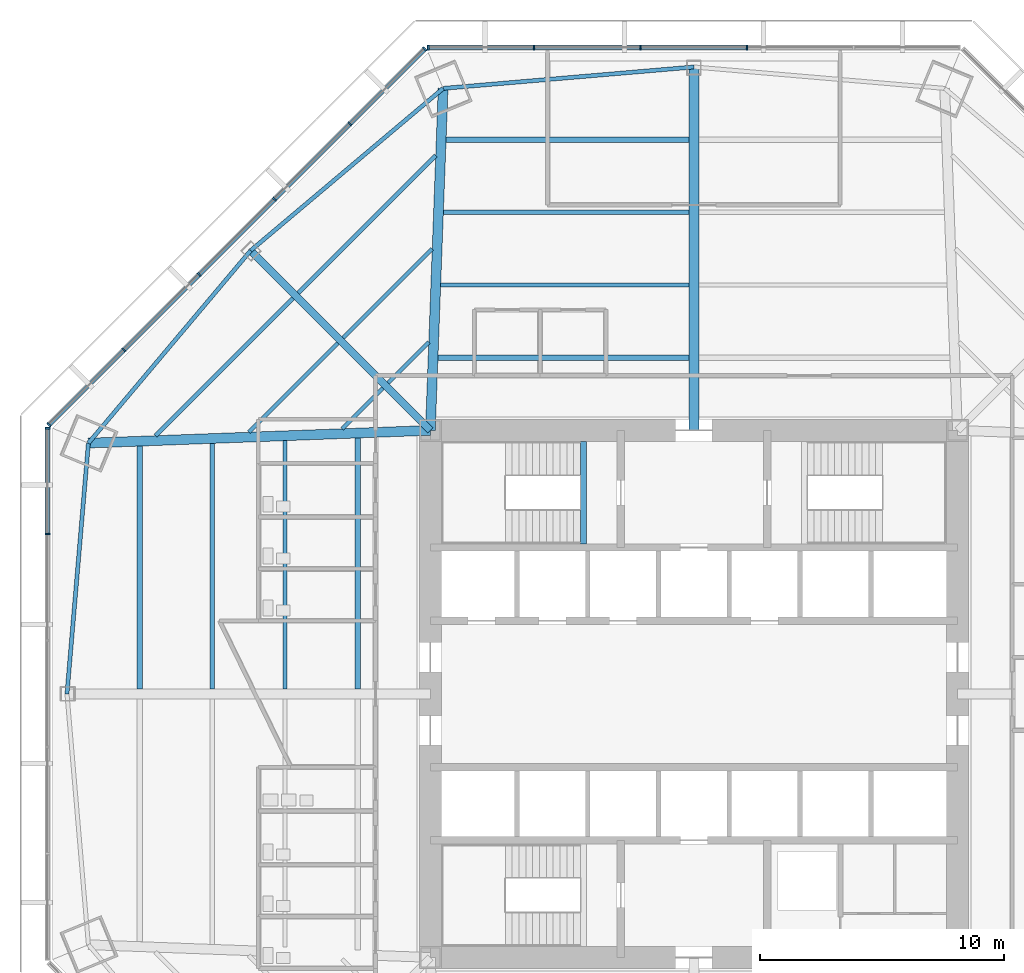
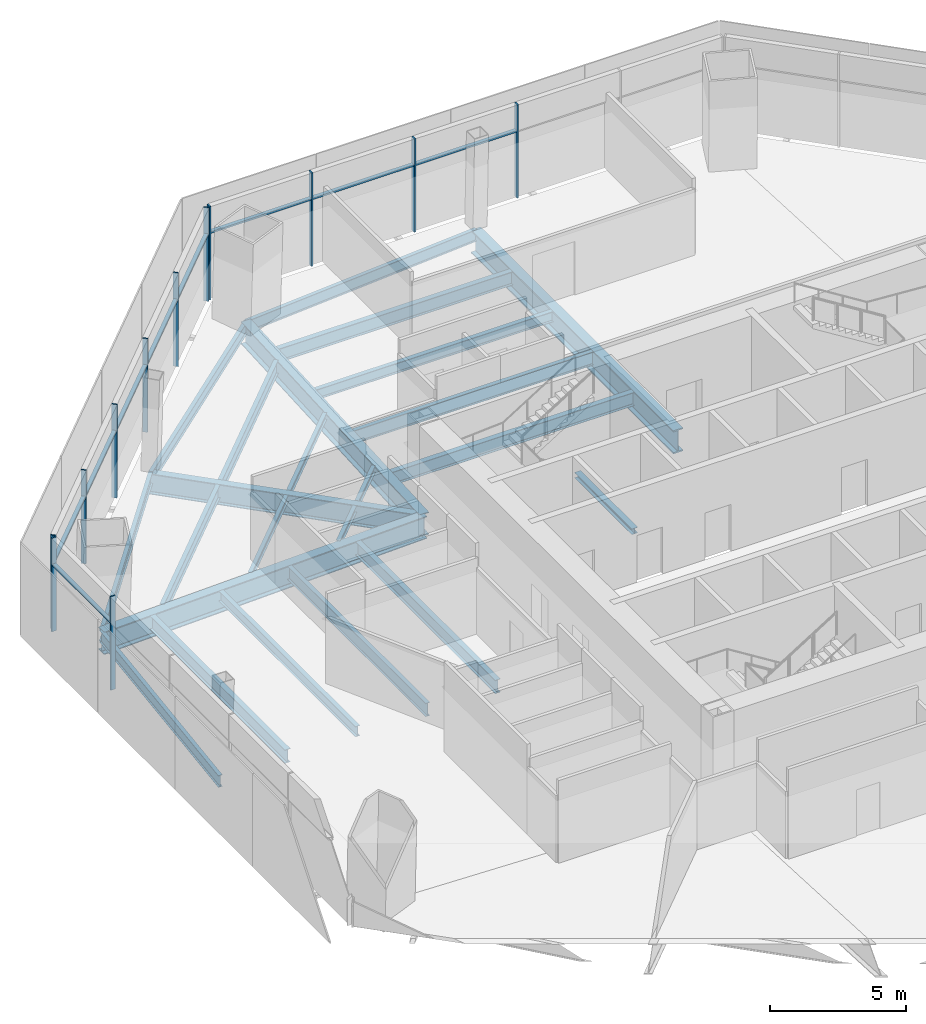
# One storey, part 5 of 14: 23 beams, 21 members, 3 elements without a shape of their own.
"""IFC4 building model written with IfcOpenShell, lengths in metres."""

from ifc_helpers import new_model, si_unit, direction, frame, origin, origin_2d, place, context, subcontext, project, spatial, rectangle, i_section, extrude, source, transform, mapped, material, material_profile, profile_set, type_object, type_shapes, element, aggregate, save


model = new_model("IFC4")

# Units and contexts
model_context = context("Model", 3, precision=1e-05, world=origin(), true_north=direction((0.0, 1.0)))
body_context = subcontext(model_context, "Body", "Model", "MODEL_VIEW")
ifc_project = project(units=[si_unit("LENGTHUNIT", "METRE"), si_unit("AREAUNIT", "SQUARE_METRE"), si_unit("VOLUMEUNIT", "CUBIC_METRE"), si_unit("PLANEANGLEUNIT", "RADIAN"), si_unit("MASSUNIT", "GRAM", prefix="KILO")], contexts=[model_context])

# Site, building, storey
site_placement = place(None, origin())
site = spatial("IfcSite", under=ifc_project, at=site_placement, CompositionType="ELEMENT")
building_placement = place(site_placement, origin())
building = spatial("IfcBuilding", under=site, at=building_placement, Name="Mashrafa Tower", CompositionType="ELEMENT")
storey_placement = place(building_placement, frame((0.0, 0.0, 54.0)))
storey = spatial("IfcBuildingStorey", under=building, at=storey_placement, Name="L11", CompositionType="ELEMENT", Elevation=54.0)

# Beams
ifc_material_1 = material(Name="Steel ASTM A992", Category="steel")
ifc_material_profile_1 = material_profile(ifc_material_1, i_section(OverallWidth=0.164794921875, OverallDepth=0.309814453125, WebThickness=0.005859375, FlangeThickness=0.009765625, FilletRadius=0.007568359375, at=origin_2d()), Name="W12X26")
ifc_profile_set_1 = profile_set([ifc_material_profile_1], Name="Steel ASTM A992")
beam_type_1 = type_object("IfcBeamType", Name="Beam W12X26", PredefinedType="BEAM", material=ifc_profile_set_1)
beam_1_placement = place(storey_placement, frame((-18.2431640625, 10.7236328125, -0.31982421875), z_axis=(0.707106781187, 0.707106781187, 0.0), x_axis=(-0.707106781187, 0.707106781187, 0.0)))
element("IfcBeam", 1, at=beam_1_placement, inside=storey, type_object=beam_type_1, Name="Floor beam L11 006", PredefinedType="BEAM", context=body_context, shape_type="SweptSolid", body=[
    extrude(i_section(OverallWidth=0.164794921875, OverallDepth=0.309814453125, WebThickness=0.005859375, FlangeThickness=0.009765625, FilletRadius=0.007568359375, at=origin_2d()), origin(), (0.0, 0.0, 1.0), 5.16357421875),
])
beam_2_placement = place(storey_placement, frame((-14.417236328125, 10.8662109375, -0.31982421875), z_axis=(0.707106781187, 0.707106781187, 0.0), x_axis=(-0.707106781187, 0.707106781187, 0.0)))
element("IfcBeam", 2, at=beam_2_placement, inside=storey, type_object=beam_type_1, Name="Floor beam L11 011", PredefinedType="BEAM", context=body_context, shape_type="SweptSolid", body=[
    extrude(i_section(OverallWidth=0.164794921875, OverallDepth=0.309814453125, WebThickness=0.005859375, FlangeThickness=0.009765625, FilletRadius=0.007568359375, at=origin_2d()), origin(), (0.0, 0.0, 1.0), 2.357177734375),
])
beam_3_placement = place(storey_placement, frame((-14.374755859375, 14.592041015625, -0.31982421875), z_axis=(0.707106781187, 0.707106781187, 0.0), x_axis=(-0.707106781187, 0.707106781187, 0.0)))
element("IfcBeam", 3, at=beam_3_placement, inside=storey, type_object=beam_type_1, Name="Floor beam L11 013", PredefinedType="BEAM", context=body_context, shape_type="SweptSolid", body=[
    extrude(i_section(OverallWidth=0.164794921875, OverallDepth=0.309814453125, WebThickness=0.005859375, FlangeThickness=0.009765625, FilletRadius=0.007568359375, at=origin_2d()), origin(), (0.0, 0.0, 1.0), 5.16357421875),
])
beam_4_placement = place(storey_placement, frame((-12.532958984375, 12.75048828125, -0.31982421875), z_axis=(0.707106781187, 0.707106781187, 0.0), x_axis=(-0.707106781187, 0.707106781187, 0.0)))
element("IfcBeam", 4, at=beam_4_placement, inside=storey, type_object=beam_type_1, Name="Floor beam L11 017", PredefinedType="BEAM", context=body_context, shape_type="SweptSolid", body=[
    extrude(i_section(OverallWidth=0.164794921875, OverallDepth=0.309814453125, WebThickness=0.005859375, FlangeThickness=0.009765625, FilletRadius=0.007568359375, at=origin_2d()), origin(), (0.0, 0.0, 1.0), 2.357177734375),
])
ifc_material_2 = material(Name="Steel ASTM A992", Category="steel")
ifc_material_profile_2 = material_profile(ifc_material_2, i_section(OverallWidth=0.191162109375, OverallDepth=0.459716796875, WebThickness=0.010009765625, FlangeThickness=0.01611328125, FilletRadius=0.01025390625, at=origin_2d()), Name="W18X55")
ifc_profile_set_2 = profile_set([ifc_material_profile_2], Name="Steel ASTM A992")
beam_type_2 = type_object("IfcBeamType", Name="Beam W18X55", PredefinedType="BEAM", material=ifc_profile_set_2)
for number, where, z_axis, x_axis, name in (
    (5, (-19.735107421875, 0.20458984375, -0.394775390625), (0.0, 1.0, 0.0), (-1.0, 0.0, 0.0), "Floor beam L11 005"),
    (6, (-10.266357421875, 19.735107421875, -0.394775390625), (1.0, 0.0, 0.0), (0.0, 1.0, 0.0), "Floor beam L11 022"),
):
    element("IfcBeam", number, at=place(storey_placement, frame(where, z_axis=z_axis, x_axis=x_axis)), inside=storey, type_object=beam_type_2, Name=name, PredefinedType="BEAM", context=body_context, shape_type="SweptSolid", body=[
        extrude(i_section(OverallWidth=0.191162109375, OverallDepth=0.459716796875, WebThickness=0.010009765625, FlangeThickness=0.01611328125, FilletRadius=0.01025390625, at=origin_2d()), origin(), (0.0, 0.0, 1.0), 10.061767578125),
    ])
ifc_material_3 = material(Name="Steel ASTM A992", Category="steel")
ifc_material_profile_3 = material_profile(ifc_material_3, i_section(OverallWidth=0.165771484375, OverallDepth=0.5283203125, WebThickness=0.009765625, FlangeThickness=0.013671875, FilletRadius=0.012939453125, at=origin_2d()), Name="W21X50")
ifc_profile_set_3 = profile_set([ifc_material_profile_3], Name="Steel ASTM A992")
beam_type_3 = type_object("IfcBeamType", Name="Beam W21X50", PredefinedType="BEAM", material=ifc_profile_set_3)
beam_5_placement = place(storey_placement, frame((-24.813720703125, 10.278076171875, -0.42919921875), z_axis=(-0.085131284942, -0.996369742778, 0.0), x_axis=(0.996369742778, -0.085131284942, 0.0)))
element("IfcBeam", 7, at=beam_5_placement, inside=storey, type_object=beam_type_3, Name="Spandrel beam L11 075", PredefinedType="BEAM", context=body_context, shape_type="SweptSolid", body=[
    extrude(i_section(OverallWidth=0.165771484375, OverallDepth=0.5283203125, WebThickness=0.009765625, FlangeThickness=0.013671875, FilletRadius=0.012939453125, at=origin_2d()), origin(), (0.0, 0.0, 1.0), 10.3154296875),
])
for number, where, z_axis, x_axis, name in (
    (8, (-18.166748046875, 18.166748046875, -0.42919921875), (-0.644355817724, -0.764725820256, 0.0), (0.764725820256, -0.644355817724, 0.0), "Spandrel beam L11 077"),
    (9, (-10.278076171875, 24.813720703125, -0.42919921875), (-0.764725820256, -0.644355817724, 0.0), (0.644355817724, -0.764725820256, 0.0), "Spandrel beam L11 079"),
):
    element("IfcBeam", number, at=place(storey_placement, frame(where, z_axis=z_axis, x_axis=x_axis)), inside=storey, type_object=beam_type_3, Name=name, PredefinedType="BEAM", context=body_context, shape_type="SweptSolid", body=[
        extrude(i_section(OverallWidth=0.165771484375, OverallDepth=0.5283203125, WebThickness=0.009765625, FlangeThickness=0.013671875, FilletRadius=0.012939453125, at=origin_2d()), origin(), (0.0, 0.0, 1.0), 10.315673828125),
    ])
beam_6_placement = place(storey_placement, frame((0.0, 25.69189453125, -0.42919921875), z_axis=(-0.996369742778, -0.085131284942, 0.0), x_axis=(0.085131284942, -0.996369742778, 0.0)))
element("IfcBeam", 10, at=beam_6_placement, inside=storey, type_object=beam_type_3, Name="Spandrel beam L11 081", PredefinedType="BEAM", context=body_context, shape_type="SweptSolid", body=[
    extrude(i_section(OverallWidth=0.165771484375, OverallDepth=0.5283203125, WebThickness=0.009765625, FlangeThickness=0.013671875, FilletRadius=0.012939453125, at=origin_2d()), origin(), (0.0, 0.0, 1.0), 10.3154296875),
])
ifc_material_4 = material(Name="Steel ASTM A992", Category="steel")
ifc_material_profile_4 = material_profile(ifc_material_4, i_section(OverallWidth=0.177978515625, OverallDepth=0.599365234375, WebThickness=0.010009765625, FlangeThickness=0.012939453125, FilletRadius=0.012939453125, at=origin_2d()), Name="W24X55")
ifc_profile_set_4 = profile_set([ifc_material_profile_4], Name="Steel ASTM A992")
beam_type_4 = type_object("IfcBeamType", Name="Beam W24X55", PredefinedType="BEAM", material=ifc_profile_set_4)
beam_7_placement = place(storey_placement, frame((-22.069091796875, 10.5810546875, -0.464599609375), z_axis=(0.707106781187, 0.707106781187, 0.0), x_axis=(-0.707106781187, 0.707106781187, 0.0)))
element("IfcBeam", 11, at=beam_7_placement, inside=storey, type_object=beam_type_4, Name="Floor beam L11 003", PredefinedType="BEAM", context=body_context, shape_type="SweptSolid", body=[
    extrude(i_section(OverallWidth=0.177978515625, OverallDepth=0.599365234375, WebThickness=0.010009765625, FlangeThickness=0.012939453125, FilletRadius=0.012939453125, at=origin_2d()), origin(), (0.0, 0.0, 1.0), 7.969482421875),
])
beam_8_placement = place(storey_placement, frame((-16.756591796875, 0.20458984375, -0.464599609375), z_axis=(0.0, 1.0, 0.0), x_axis=(-1.0, 0.0, 0.0)))
element("IfcBeam", 12, at=beam_8_placement, inside=storey, type_object=beam_type_4, Name="Floor beam L11 008", PredefinedType="BEAM", context=body_context, shape_type="SweptSolid", body=[
    extrude(i_section(OverallWidth=0.177978515625, OverallDepth=0.599365234375, WebThickness=0.010009765625, FlangeThickness=0.012939453125, FilletRadius=0.012939453125, at=origin_2d()), origin(), (0.0, 0.0, 1.0), 10.1728515625),
])
beam_9_placement = place(storey_placement, frame((-16.21630859375, 16.433837890625, -0.464599609375), z_axis=(0.707106781187, 0.707106781187, 0.0), x_axis=(-0.707106781187, 0.707106781187, 0.0)))
element("IfcBeam", 13, at=beam_9_placement, inside=storey, type_object=beam_type_4, Name="Floor beam L11 010", PredefinedType="BEAM", context=body_context, shape_type="SweptSolid", body=[
    extrude(i_section(OverallWidth=0.177978515625, OverallDepth=0.599365234375, WebThickness=0.010009765625, FlangeThickness=0.012939453125, FilletRadius=0.012939453125, at=origin_2d()), origin(), (0.0, 0.0, 1.0), 7.969482421875),
])
beam_10_placement = place(storey_placement, frame((-10.37744140625, 16.756591796875, -0.464599609375), z_axis=(1.0, 0.0, 0.0), x_axis=(0.0, 1.0, 0.0)))
element("IfcBeam", 14, at=beam_10_placement, inside=storey, type_object=beam_type_4, Name="Floor beam L11 020", PredefinedType="BEAM", context=body_context, shape_type="SweptSolid", body=[
    extrude(i_section(OverallWidth=0.177978515625, OverallDepth=0.599365234375, WebThickness=0.010009765625, FlangeThickness=0.012939453125, FilletRadius=0.012939453125, at=origin_2d()), origin(), (0.0, 0.0, 1.0), 10.1728515625),
])
ifc_material_5 = material(Name="Steel ASTM A992", Category="steel")
ifc_material_profile_5 = material_profile(ifc_material_5, i_section(OverallWidth=0.227783203125, OverallDepth=0.60205078125, WebThickness=0.010498046875, FlangeThickness=0.014892578125, FilletRadius=0.012939453125, at=origin_2d()), Name="W24X68")
ifc_profile_set_5 = profile_set([ifc_material_profile_5], Name="Steel ASTM A992")
beam_type_5 = type_object("IfcBeamType", Name="Beam W24X68", PredefinedType="BEAM", material=ifc_profile_set_5)
for number, where, z_axis, x_axis, name in (
    (15, (-13.7783203125, 0.20458984375, -0.466064453125), (0.0, 1.0, 0.0), (-1.0, 0.0, 0.0), "Floor beam L11 015"),
    (16, (-10.48828125, 13.7783203125, -0.466064453125), (1.0, 0.0, 0.0), (0.0, 1.0, 0.0), "Floor beam L11 018"),
):
    element("IfcBeam", number, at=place(storey_placement, frame(where, z_axis=z_axis, x_axis=x_axis)), inside=storey, type_object=beam_type_5, Name=name, PredefinedType="BEAM", context=body_context, shape_type="SweptSolid", body=[
        extrude(i_section(OverallWidth=0.227783203125, OverallDepth=0.60205078125, WebThickness=0.010498046875, FlangeThickness=0.014892578125, FilletRadius=0.012939453125, at=origin_2d()), origin(), (0.0, 0.0, 1.0), 10.28369140625),
    ])
ifc_material_6 = material(Name="Steel ASTM A992", Category="steel")
ifc_material_profile_6 = material_profile(ifc_material_6, i_section(OverallWidth=0.228271484375, OverallDepth=0.607177734375, WebThickness=0.01123046875, FlangeThickness=0.017333984375, FilletRadius=0.0126953125, at=origin_2d()), Name="W24X76")
ifc_profile_set_6 = profile_set([ifc_material_profile_6], Name="Steel ASTM A992")
beam_type_6 = type_object("IfcBeamType", Name="Beam W24X76", PredefinedType="BEAM", material=ifc_profile_set_6)
for number, where, z_axis, x_axis, name in (
    (17, (-22.71337890625, 0.20458984375, -0.468505859375), (0.0, 1.0, 0.0), (-1.0, 0.0, 0.0), "Floor beam L11 002"),
    (18, (-10.155517578125, 22.71337890625, -0.468505859375), (1.0, 0.0, 0.0), (0.0, 1.0, 0.0), "Floor beam L11 024"),
):
    element("IfcBeam", number, at=place(storey_placement, frame(where, z_axis=z_axis, x_axis=x_axis)), inside=storey, type_object=beam_type_6, Name=name, PredefinedType="BEAM", context=body_context, shape_type="SweptSolid", body=[
        extrude(i_section(OverallWidth=0.228271484375, OverallDepth=0.607177734375, WebThickness=0.01123046875, FlangeThickness=0.017333984375, FilletRadius=0.0126953125, at=origin_2d()), origin(), (0.0, 0.0, 1.0), 9.950927734375),
    ])
ifc_material_7 = material(Name="Steel ASTM A992", Category="steel")
ifc_material_profile_7 = material_profile(ifc_material_7, i_section(OverallWidth=0.307373046875, OverallDepth=0.927001953125, WebThickness=0.01953125, FlangeThickness=0.031982421875, FilletRadius=0.01904296875, at=origin_2d()), Name="W36X194")
ifc_profile_set_7 = profile_set([ifc_material_profile_7], Name="Steel ASTM A992")
beam_type_7 = type_object("IfcBeamType", Name="Beam W36X194", PredefinedType="BEAM", material=ifc_profile_set_7)
beam_11_placement = place(storey_placement, frame((-10.800048828125, 10.800048828125, -0.628662109375), z_axis=(-0.707106781187, 0.707106781187, 0.0), x_axis=(-0.707106781187, -0.707106781187, 0.0)))
element("IfcBeam", 19, at=beam_11_placement, inside=storey, type_object=beam_type_7, Name="Radial girder L11 062", PredefinedType="BEAM", context=body_context, shape_type="SweptSolid", body=[
    extrude(i_section(OverallWidth=0.307373046875, OverallDepth=0.927001953125, WebThickness=0.01953125, FlangeThickness=0.031982421875, FilletRadius=0.01904296875, at=origin_2d()), origin(), (0.0, 0.0, 1.0), 10.41796875),
])
ifc_material_8 = material(Name="Steel ASTM A992", Category="steel")
ifc_material_profile_8 = material_profile(ifc_material_8, i_section(OverallWidth=0.4013671875, OverallDepth=1.010986328125, WebThickness=0.023681640625, FlangeThickness=0.0419921875, FilletRadius=0.02001953125, at=origin_2d()), Name="W40X297")
ifc_profile_set_8 = profile_set([ifc_material_profile_8], Name="Steel ASTM A992")
beam_type_8 = type_object("IfcBeamType", Name="Beam W40X297", PredefinedType="BEAM", material=ifc_profile_set_8)
for number, where, z_axis, x_axis, name in (
    (20, (-10.800048828125, 10.800048828125, -0.67041015625), (-0.999307037052, -0.037221575701, 0.0), (0.037221575701, -0.999307037052, 0.0), "Radial girder L11 061"),
    (21, (-10.800048828125, 10.800048828125, -0.67041015625), (0.037221575701, 0.999307037052, 0.0), (-0.999307037052, 0.037221575701, 0.0), "Radial girder L11 063"),
):
    element("IfcBeam", number, at=place(storey_placement, frame(where, z_axis=z_axis, x_axis=x_axis)), inside=storey, type_object=beam_type_8, Name=name, PredefinedType="BEAM", context=body_context, shape_type="SweptSolid", body=[
        extrude(i_section(OverallWidth=0.4013671875, OverallDepth=1.010986328125, WebThickness=0.023681640625, FlangeThickness=0.0419921875, FilletRadius=0.02001953125, at=origin_2d()), origin(), (0.0, 0.0, 1.0), 14.0234375),
    ])
ifc_material_9 = material(Name="Steel ASTM A992", Category="steel")
ifc_material_profile_9 = material_profile(ifc_material_9, i_section(OverallWidth=0.408935546875, OverallDepth=1.04150390625, WebThickness=0.031005859375, FlangeThickness=0.055908203125, FilletRadius=0.020263671875, at=origin_2d()), Name="W40X397")
ifc_profile_set_9 = profile_set([ifc_material_profile_9], Name="Steel ASTM A992")
beam_type_9 = type_object("IfcBeamType", Name="Beam W40X397", PredefinedType="BEAM", material=ifc_profile_set_9)
beam_12_placement = place(storey_placement, frame((0.0, 10.800048828125, -0.685791015625), z_axis=(0.0, 1.0, 0.0), x_axis=(-1.0, 0.0, 0.0)))
element("IfcBeam", 22, at=beam_12_placement, inside=storey, type_object=beam_type_9, Name="Radial girder L11 065", PredefinedType="BEAM", context=body_context, shape_type="SweptSolid", body=[
    extrude(i_section(OverallWidth=0.408935546875, OverallDepth=1.04150390625, WebThickness=0.031005859375, FlangeThickness=0.055908203125, FilletRadius=0.020263671875, at=origin_2d()), origin(), (0.0, 0.0, 1.0), 14.891845703125),
])
ifc_material_10 = material(Name="Steel ASTM A992", Category="steel")
ifc_material_profile_10 = material_profile(ifc_material_10, i_section(OverallWidth=0.25390625, OverallDepth=0.25390625, WebThickness=0.008544921875, FlangeThickness=0.01416015625, FilletRadius=0.010009765625, at=origin_2d()), Name="W10X49")
ifc_profile_set_10 = profile_set([ifc_material_profile_10], Name="Steel ASTM A992")
beam_type_10 = type_object("IfcBeamType", Name="Hoistway beam W10X49", PredefinedType="BEAM", material=ifc_profile_set_10)
beam_13_placement = place(storey_placement, frame((-4.530029296875, 6.14990234375, -0.326904296875), z_axis=(0.0, 1.0, 0.0), x_axis=(-1.0, 0.0, 0.0)))
element("IfcBeam", 23, at=beam_13_placement, inside=storey, type_object=beam_type_10, Name="Stair S1 landing beam L11", PredefinedType="BEAM", context=body_context, shape_type="SweptSolid", body=[
    extrude(i_section(OverallWidth=0.25390625, OverallDepth=0.25390625, WebThickness=0.008544921875, FlangeThickness=0.01416015625, FilletRadius=0.010009765625, at=origin_2d()), origin(), (0.0, 0.0, 1.0), 4.2001953125),
])

# Curtain wall, members
ifc_material_11 = material(Name="Unitised aluminium curtain wall", Category="aluminium")
curtain_wall_type = type_object("IfcCurtainWallType", Name="Office curtain wall, zone 1 CW-A 200 deep", PredefinedType="NOTDEFINED", material=ifc_material_11)
curtain_wall_1_placement = place(storey_placement, origin())
curtain_wall_1 = element("IfcCurtainWall", 24, at=curtain_wall_1_placement, inside=storey, type_object=curtain_wall_type, Name="Office curtain wall, zone 1 L11 north", PredefinedType="NOTDEFINED")
ifc_material_12 = material(Name="Extruded aluminium mullion", Category="aluminium")
ifc_material_profile_11 = material_profile(ifc_material_12, rectangle(XDim=0.199951171875, YDim=0.06494140625, at=origin_2d()), Name="Mullion 65x200")
ifc_profile_set_11 = profile_set([ifc_material_profile_11], Name="Extruded aluminium mullion")
member_type_1 = type_object("IfcMemberType", Name="Mullion CW-A 65 x 200", PredefinedType="MULLION", material=ifc_profile_set_11)
shared_shape_1 = source(origin(), body_context, "Body", "SweptSolid", [
    extrude(rectangle(XDim=0.199951171875, YDim=0.06494140625, at=origin_2d()), origin(), (0.0, 0.0, 1.0), 4.199951171875),
])
type_shapes(member_type_1, [shared_shape_1])
member_1_placement = place(storey_placement, frame((2.18408203125, 26.487060546875, 0.0), z_axis=(0.0, 0.0, 1.0), x_axis=(0.0, -1.0, 0.0)))
member_1 = element("IfcMember", 25, at=member_1_placement, type_object=member_type_1, Name="CW-A mullion 3", PredefinedType="MULLION", context=body_context, shape_type="MappedRepresentation", body=[
    mapped(shared_shape_1, transform((0.0, 0.0, 0.0))),
])
member_2_placement = place(storey_placement, frame((-2.18408203125, 26.487060546875, 0.0), z_axis=(0.0, 0.0, 1.0), x_axis=(0.0, -1.0, 0.0)))
member_2 = element("IfcMember", 26, at=member_2_placement, type_object=member_type_1, Name="CW-A mullion 4", PredefinedType="MULLION", context=body_context, shape_type="MappedRepresentation", body=[
    mapped(shared_shape_1, transform((0.0, 0.0, 0.0))),
])
member_3_placement = place(storey_placement, frame((-6.552001953125, 26.487060546875, 0.0), z_axis=(0.0, 0.0, 1.0), x_axis=(0.0, -1.0, 0.0)))
member_3 = element("IfcMember", 27, at=member_3_placement, type_object=member_type_1, Name="CW-A mullion 5", PredefinedType="MULLION", context=body_context, shape_type="MappedRepresentation", body=[
    mapped(shared_shape_1, transform((0.0, 0.0, 0.0))),
])
member_4_placement = place(storey_placement, frame((-10.887451171875, 26.487060546875, 0.0), z_axis=(0.0, 0.0, 1.0), x_axis=(0.0, -1.0, 0.0)))
member_4 = element("IfcMember", 28, at=member_4_placement, type_object=member_type_1, Name="CW-A mullion 6", PredefinedType="MULLION", context=body_context, shape_type="MappedRepresentation", body=[
    mapped(shared_shape_1, transform((0.0, 0.0, 0.0))),
])

curtain_wall_2_placement = place(storey_placement, origin())
curtain_wall_2 = element("IfcCurtainWall", 29, at=curtain_wall_2_placement, inside=storey, type_object=curtain_wall_type, Name="Office curtain wall, zone 1 L11 north-west", PredefinedType="NOTDEFINED")
member_5_placement = place(storey_placement, frame((-11.03076171875, 26.427734375, 0.0), z_axis=(0.0, 0.0, 1.0), x_axis=(0.707106781187, -0.707106781187, 0.0)))
member_5 = element("IfcMember", 30, at=member_5_placement, type_object=member_type_1, Name="CW-A mullion 1", PredefinedType="MULLION", context=body_context, shape_type="MappedRepresentation", body=[
    mapped(shared_shape_1, transform((0.0, 0.0, 0.0))),
])
member_6_placement = place(storey_placement, frame((-14.09619140625, 23.362060546875, 0.0), z_axis=(0.0, 0.0, 1.0), x_axis=(0.707106781187, -0.707106781187, 0.0)))
member_6 = element("IfcMember", 31, at=member_6_placement, type_object=member_type_1, Name="CW-A mullion 2", PredefinedType="MULLION", context=body_context, shape_type="MappedRepresentation", body=[
    mapped(shared_shape_1, transform((0.0, 0.0, 0.0))),
])
member_7_placement = place(storey_placement, frame((-17.184814453125, 20.2734375, 0.0), z_axis=(0.0, 0.0, 1.0), x_axis=(0.707106781187, -0.707106781187, 0.0)))
member_7 = element("IfcMember", 32, at=member_7_placement, type_object=member_type_1, Name="CW-A mullion 3", PredefinedType="MULLION", context=body_context, shape_type="MappedRepresentation", body=[
    mapped(shared_shape_1, transform((0.0, 0.0, 0.0))),
])
member_8_placement = place(storey_placement, frame((-20.2734375, 17.184814453125, 0.0), z_axis=(0.0, 0.0, 1.0), x_axis=(0.707106781187, -0.707106781187, 0.0)))
member_8 = element("IfcMember", 33, at=member_8_placement, type_object=member_type_1, Name="CW-A mullion 4", PredefinedType="MULLION", context=body_context, shape_type="MappedRepresentation", body=[
    mapped(shared_shape_1, transform((0.0, 0.0, 0.0))),
])
member_9_placement = place(storey_placement, frame((-23.362060546875, 14.09619140625, 0.0), z_axis=(0.0, 0.0, 1.0), x_axis=(0.707106781187, -0.707106781187, 0.0)))
member_9 = element("IfcMember", 34, at=member_9_placement, type_object=member_type_1, Name="CW-A mullion 5", PredefinedType="MULLION", context=body_context, shape_type="MappedRepresentation", body=[
    mapped(shared_shape_1, transform((0.0, 0.0, 0.0))),
])
member_10_placement = place(storey_placement, frame((-26.427734375, 11.03076171875, 0.0), z_axis=(0.0, 0.0, 1.0), x_axis=(0.707106781187, -0.707106781187, 0.0)))
member_10 = element("IfcMember", 35, at=member_10_placement, type_object=member_type_1, Name="CW-A mullion 6", PredefinedType="MULLION", context=body_context, shape_type="MappedRepresentation", body=[
    mapped(shared_shape_1, transform((0.0, 0.0, 0.0))),
])

curtain_wall_3_placement = place(storey_placement, origin())
curtain_wall_3 = element("IfcCurtainWall", 36, at=curtain_wall_3_placement, inside=storey, type_object=curtain_wall_type, Name="Office curtain wall, zone 1 L11 west", PredefinedType="NOTDEFINED")
member_11_placement = place(storey_placement, frame((-26.487060546875, 10.887451171875, 0.0), z_axis=(0.0, 0.0, 1.0), x_axis=(1.0, 0.0, 0.0)))
member_11 = element("IfcMember", 37, at=member_11_placement, type_object=member_type_1, Name="CW-A mullion 1", PredefinedType="MULLION", context=body_context, shape_type="MappedRepresentation", body=[
    mapped(shared_shape_1, transform((0.0, 0.0, 0.0))),
])
member_12_placement = place(storey_placement, frame((-26.487060546875, 6.552001953125, 0.0), z_axis=(0.0, 0.0, 1.0), x_axis=(1.0, 0.0, 0.0)))
member_12 = element("IfcMember", 38, at=member_12_placement, type_object=member_type_1, Name="CW-A mullion 2", PredefinedType="MULLION", context=body_context, shape_type="MappedRepresentation", body=[
    mapped(shared_shape_1, transform((0.0, 0.0, 0.0))),
])

# Member
ifc_material_13 = material(Name="Extruded aluminium transom", Category="aluminium")
ifc_material_profile_12 = material_profile(ifc_material_13, rectangle(XDim=0.159912109375, YDim=0.080078125, at=origin_2d()), Name="Transom 80x160")
ifc_profile_set_12 = profile_set([ifc_material_profile_12], Name="Extruded aluminium transom")
member_type_2 = type_object("IfcMemberType", Name="Transom CW-A 80 x 160", PredefinedType="MULLION", material=ifc_profile_set_12)
shared_shape_2 = source(origin(), body_context, "Body", "SweptSolid", [
    extrude(rectangle(XDim=0.159912109375, YDim=0.080078125, at=origin_2d()), origin(), (0.0, 0.0, 1.0), 4.2705078125),
])
member_13_placement = place(storey_placement, frame((-6.58447265625, 26.487060546875, 3.0), z_axis=(-1.0, 0.0, 0.0), x_axis=(0.0, -1.0, 0.0)))
member_13 = element("IfcMember", 39, at=member_13_placement, type_object=member_type_2, Name="CW-A transom 5", PredefinedType="MULLION", context=body_context, shape_type="MappedRepresentation", body=[
    mapped(shared_shape_2, transform((0.0, 0.0, 0.0))),
])

member_14_placement = place(storey_placement, frame((-26.487060546875, 10.85498046875, 3.0), z_axis=(0.0, -1.0, 0.0), x_axis=(1.0, 0.0, 0.0)))
member_14 = element("IfcMember", 40, at=member_14_placement, type_object=member_type_2, Name="CW-A transom 1", PredefinedType="MULLION", context=body_context, shape_type="MappedRepresentation", body=[
    mapped(shared_shape_2, transform((0.0, 0.0, 0.0))),
])

aggregate(curtain_wall_3, [member_11, member_12, member_14])

shared_shape_3 = source(origin(), body_context, "Body", "SweptSolid", [
    extrude(rectangle(XDim=0.159912109375, YDim=0.080078125, at=origin_2d()), origin(), (0.0, 0.0, 1.0), 4.302978515625),
])
member_15_placement = place(storey_placement, frame((-2.216552734375, 26.487060546875, 3.0), z_axis=(-1.0, 0.0, 0.0), x_axis=(0.0, -1.0, 0.0)))
member_15 = element("IfcMember", 41, at=member_15_placement, type_object=member_type_2, Name="CW-A transom 4", PredefinedType="MULLION", context=body_context, shape_type="MappedRepresentation", body=[
    mapped(shared_shape_3, transform((0.0, 0.0, 0.0))),
])

shared_shape_4 = source(origin(), body_context, "Body", "SweptSolid", [
    extrude(rectangle(XDim=0.159912109375, YDim=0.080078125, at=origin_2d()), origin(), (0.0, 0.0, 1.0), 4.302734375),
])
member_16_placement = place(storey_placement, frame((2.1513671875, 26.487060546875, 3.0), z_axis=(-1.0, 0.0, 0.0), x_axis=(0.0, -1.0, 0.0)))
member_16 = element("IfcMember", 42, at=member_16_placement, type_object=member_type_2, Name="CW-A transom 3", PredefinedType="MULLION", context=body_context, shape_type="MappedRepresentation", body=[
    mapped(shared_shape_4, transform((0.0, 0.0, 0.0))),
])

aggregate(curtain_wall_1, [member_1, member_2, member_3, member_4, member_16, member_15, member_13])

member_17_placement = place(storey_placement, frame((-14.119384765625, 23.339111328125, 3.0), z_axis=(-0.707106781187, -0.707106781187, 0.0), x_axis=(0.707106781187, -0.707106781187, 0.0)))
member_17 = element("IfcMember", 43, at=member_17_placement, type_object=member_type_2, Name="CW-A transom 2", PredefinedType="MULLION", context=body_context, shape_type="MappedRepresentation", body=[
    mapped(shared_shape_4, transform((0.0, 0.0, 0.0))),
])

member_18_placement = place(storey_placement, frame((-17.2080078125, 20.25048828125, 3.0), z_axis=(-0.707106781187, -0.707106781187, 0.0), x_axis=(0.707106781187, -0.707106781187, 0.0)))
member_18 = element("IfcMember", 44, at=member_18_placement, type_object=member_type_2, Name="CW-A transom 3", PredefinedType="MULLION", context=body_context, shape_type="MappedRepresentation", body=[
    mapped(shared_shape_4, transform((0.0, 0.0, 0.0))),
])

member_19_placement = place(storey_placement, frame((-20.296630859375, 17.161865234375, 3.0), z_axis=(-0.707106781187, -0.707106781187, 0.0), x_axis=(0.707106781187, -0.707106781187, 0.0)))
member_19 = element("IfcMember", 45, at=member_19_placement, type_object=member_type_2, Name="CW-A transom 4", PredefinedType="MULLION", context=body_context, shape_type="MappedRepresentation", body=[
    mapped(shared_shape_4, transform((0.0, 0.0, 0.0))),
])

shared_shape_5 = source(origin(), body_context, "Body", "SweptSolid", [
    extrude(rectangle(XDim=0.159912109375, YDim=0.080078125, at=origin_2d()), origin(), (0.0, 0.0, 1.0), 4.270263671875),
])
type_shapes(member_type_2, [shared_shape_2, shared_shape_3, shared_shape_4, shared_shape_5])
member_20_placement = place(storey_placement, frame((-11.0537109375, 26.40478515625, 3.0), z_axis=(-0.707106781187, -0.707106781187, 0.0), x_axis=(0.707106781187, -0.707106781187, 0.0)))
member_20 = element("IfcMember", 46, at=member_20_placement, type_object=member_type_2, Name="CW-A transom 1", PredefinedType="MULLION", context=body_context, shape_type="MappedRepresentation", body=[
    mapped(shared_shape_5, transform((0.0, 0.0, 0.0))),
])

member_21_placement = place(storey_placement, frame((-23.38525390625, 14.0732421875, 3.0), z_axis=(-0.707106781187, -0.707106781187, 0.0), x_axis=(0.707106781187, -0.707106781187, 0.0)))
member_21 = element("IfcMember", 47, at=member_21_placement, type_object=member_type_2, Name="CW-A transom 5", PredefinedType="MULLION", context=body_context, shape_type="MappedRepresentation", body=[
    mapped(shared_shape_5, transform((0.0, 0.0, 0.0))),
])

aggregate(curtain_wall_2, [member_5, member_6, member_7, member_8, member_9, member_10, member_20, member_17, member_18, member_19, member_21])

save(model, "model.ifc")
